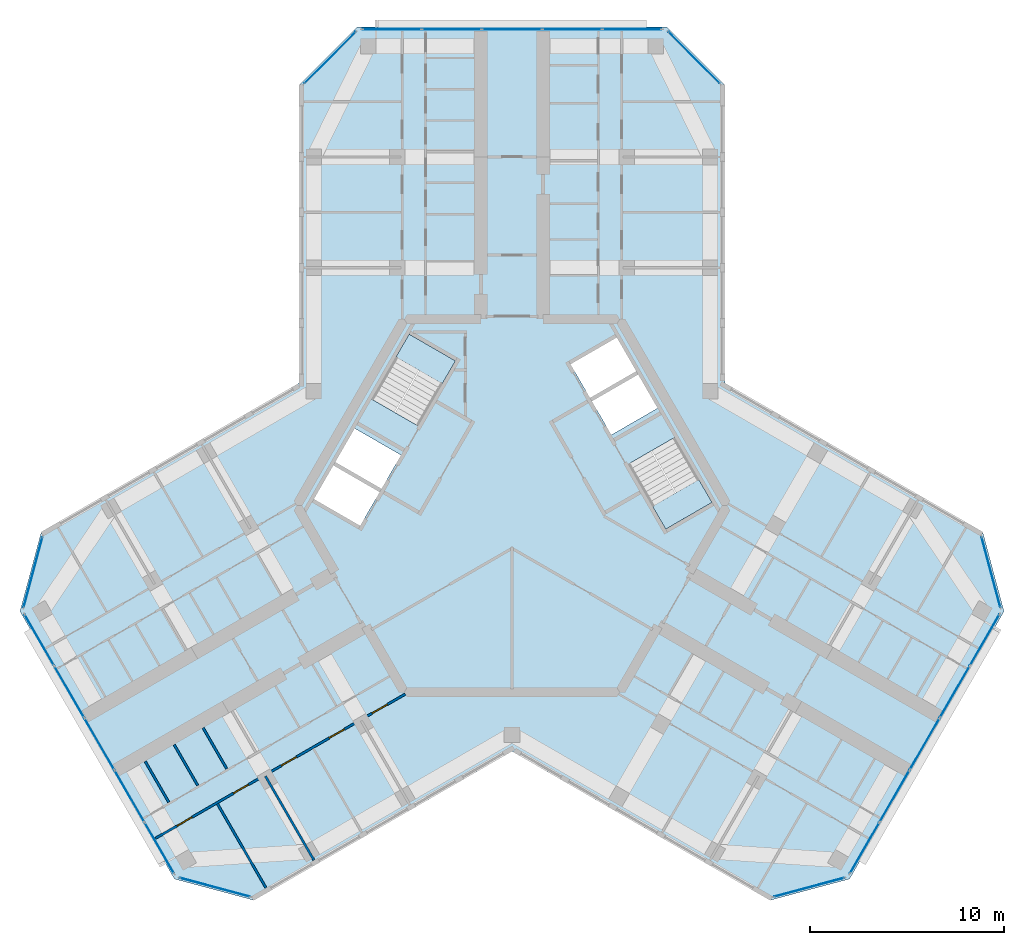
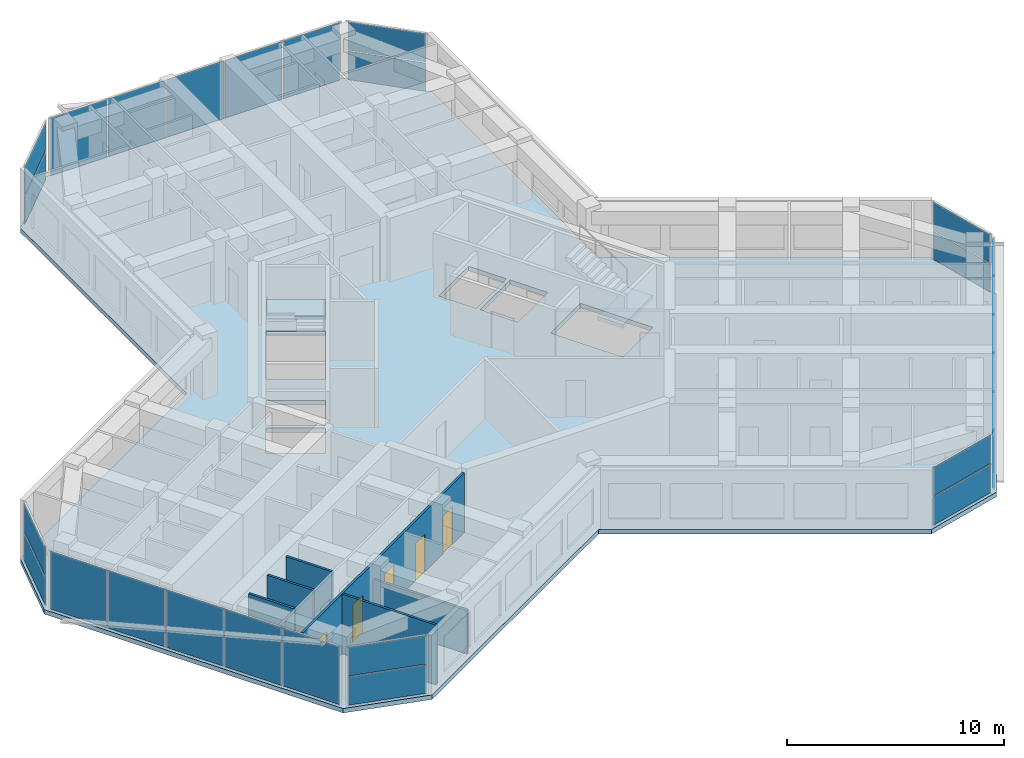
# One storey, part 6 of 14: 27 plates, 6 walls, 5 doors, 3 slabs, 5 openings, 11 elements without a shape of their own.
"""IFC4 building model written with IfcOpenShell, lengths in metres."""

import ifcopenshell
import ifcopenshell.guid

model = None  # the IFC model being written
_history = None  # IfcOwnerHistory: only IFC2X3 demands one
_inside = {}  # id of a spatial element -> (the spatial element, [elements in it])
_under = {}  # id of a project, library or spatial element -> (it, [spatial elements below it])
_declared = {}  # id of a project -> (the project, [libraries it declares])
_typed = {}  # id of a type object -> (the type object, [elements of that type])
_made_of = {}  # id of a material, layer set ... -> (it, [elements and type objects made of it])


def new_model(schema):
    """Start an empty IFC model of exactly this schema.

    Asked for "IFC4X3", IfcOpenShell would pick the latest addendum, in which some entities
    have other attributes; the version numbers below select the first issue.
    IFC2X3 requires an IfcOwnerHistory on every rooted entity: one is made here for all.
    """
    global model, _history
    if schema == "IFC4X3":
        model = ifcopenshell.file(schema_version=(4, 3, 0, 0))
    else:
        model = ifcopenshell.file(schema=schema)
    _inside.clear()
    _under.clear()
    _declared.clear()
    _typed.clear()
    _made_of.clear()
    _history = None
    if model.schema == "IFC2X3":
        org = make("IfcOrganization", Name="unknown")
        user = make(
            "IfcPersonAndOrganization",
            ThePerson=make("IfcPerson", FamilyName="unknown"),
            TheOrganization=org,
        )
        app = make(
            "IfcApplication",
            ApplicationDeveloper=org,
            Version="unknown",
            ApplicationFullName="unknown",
            ApplicationIdentifier="unknown",
        )
        _history = make(
            "IfcOwnerHistory",
            OwningUser=user,
            OwningApplication=app,
            ChangeAction="ADDED",
            CreationDate=0,
        )
    return model


def make(cls, **values):
    """One entity of the class cls with the attributes given. An attribute that is None is left unset."""
    return model.create_entity(
        cls, **{name: value for name, value in values.items() if value is not None}
    )


def rooted(cls, **values):
    """An entity with a GlobalId (a new one), such as an element, a storey or a relation."""
    return make(cls, GlobalId=ifcopenshell.guid.new(), OwnerHistory=_history, **values)


def si_unit(unit_type, name, prefix=None):
    """IfcSIUnit, for example si_unit("LENGTHUNIT", "METRE", prefix="MILLI")."""
    return make("IfcSIUnit", UnitType=unit_type, Prefix=prefix, Name=name)


def assignment(units):
    """IfcUnitAssignment: the units of a project."""
    return None if units is None else make("IfcUnitAssignment", Units=units)


def point(xyz):
    """IfcCartesianPoint."""
    return None if xyz is None else make("IfcCartesianPoint", Coordinates=xyz)


def direction(xyz):
    """IfcDirection."""
    return None if xyz is None else make("IfcDirection", DirectionRatios=xyz)


def frame(location, z_axis=None, x_axis=None):
    """IfcAxis2Placement3D, a coordinate frame: its origin and axes. An axis left out is left unset."""
    return make(
        "IfcAxis2Placement3D",
        Location=point(location),
        Axis=direction(z_axis),
        RefDirection=direction(x_axis),
    )


def frame_2d(location, x_axis=None):
    """IfcAxis2Placement2D, a coordinate frame in the plane: its origin and x axis."""
    return make(
        "IfcAxis2Placement2D", Location=point(location), RefDirection=direction(x_axis)
    )


def origin():
    """The frame at (0, 0, 0) with its axes left unset."""
    return frame((0.0, 0.0, 0.0))


def origin_2d():
    """The frame at (0, 0) in the plane with its x axis left unset."""
    return frame_2d((0.0, 0.0))


def place(relative_to, where):
    """IfcLocalPlacement: puts the frame where relative to a parent placement (None: the world)."""
    return make(
        "IfcLocalPlacement", PlacementRelTo=relative_to, RelativePlacement=where
    )


def context(
    kind, dimensions, precision=None, world=None, true_north=None, identifier=None
):
    """IfcGeometricRepresentationContext, for example the 3D "Model" context."""
    return make(
        "IfcGeometricRepresentationContext",
        ContextIdentifier=identifier,
        ContextType=kind,
        CoordinateSpaceDimension=dimensions,
        Precision=precision,
        WorldCoordinateSystem=world,
        TrueNorth=true_north,
    )


def subcontext(parent, identifier, kind, view, scale=None):
    """IfcGeometricRepresentationSubContext, for example "Body" below "Model"."""
    return make(
        "IfcGeometricRepresentationSubContext",
        ContextIdentifier=identifier,
        ContextType=kind,
        ParentContext=parent,
        TargetScale=scale,
        TargetView=view,
    )


def project(units=None, contexts=None):
    """IfcProject with its units and contexts."""
    return rooted(
        "IfcProject",
        Name="project",
        RepresentationContexts=contexts,
        UnitsInContext=assignment(units),
    )


def spatial(cls, under=None, at=None, **own):
    """A site, building, storey or space (cls), placed at a placement, below another one or the project."""
    s = rooted(cls, ObjectPlacement=at, **own)
    if under is not None:
        _under.setdefault(under.id(), (under, []))[1].append(s)
    return s


def polyline(points):
    """IfcPolyline through the points."""
    return make("IfcPolyline", Points=[point(p) for p in points])


def profile(cls, at=None, kind="AREA", **sizes):
    """A parametric profile (cls). Its sizes go by their IFC names, for example OverallWidth=200.0."""
    return make(cls, ProfileType=kind, Position=at, **sizes)


def rectangle(**sizes):
    """IfcRectangleProfileDef."""
    return profile("IfcRectangleProfileDef", **sizes)


def outline(outer, holes=None, kind="AREA"):
    """IfcArbitraryClosedProfileDef: a profile drawn as a closed curve; with holes, ...WithVoids."""
    if holes is None:
        return make("IfcArbitraryClosedProfileDef", ProfileType=kind, OuterCurve=outer)
    return make(
        "IfcArbitraryProfileDefWithVoids",
        ProfileType=kind,
        OuterCurve=outer,
        InnerCurves=holes,
    )


def extrude(swept, where, along, depth):
    """IfcExtrudedAreaSolid: the profile swept, set in the frame where, extruded along a direction by depth."""
    return make(
        "IfcExtrudedAreaSolid",
        SweptArea=swept,
        Position=where,
        ExtrudedDirection=direction(along),
        Depth=depth,
    )


def shape(context_of_items, identifier, shape_type, items):
    """IfcShapeRepresentation: the items that make up one representation, for example the "Body"."""
    return make(
        "IfcShapeRepresentation",
        ContextOfItems=context_of_items,
        RepresentationIdentifier=identifier,
        RepresentationType=shape_type,
        Items=items,
    )


def material(Name=None, Category=None):
    """IfcMaterial."""
    return make("IfcMaterial", Name=Name, Category=Category)


def layer(
    of_material, thickness, ventilated=None, Name=None, Category=None, Priority=None
):
    """IfcMaterialLayer: one layer of a wall or slab, of a material (None: an air gap)."""
    return make(
        "IfcMaterialLayer",
        Material=of_material,
        LayerThickness=thickness,
        IsVentilated=ventilated,
        Name=Name,
        Category=Category,
        Priority=Priority,
    )


def layer_set(layers, Name=None):
    """IfcMaterialLayerSet."""
    return make("IfcMaterialLayerSet", MaterialLayers=layers, LayerSetName=Name)


def made_of(thing, what):
    """Note that an element or type object is made of a material, layer set ...; save() writes the relation."""
    if what is not None:
        _made_of.setdefault(what.id(), (what, []))[1].append(thing)
    return thing


def type_object(cls, material=None, **own):
    """A type object (cls), such as IfcWallType, which elements share."""
    return made_of(rooted(cls, **own), material)


def element(
    cls,
    number,
    at=None,
    inside=None,
    cuts=None,
    type_object=None,
    material=None,
    context=None,
    identifier="Body",
    shape_type=None,
    held_by="IfcProductDefinitionShape",
    body=None,
    shapes=None,
    **own,
):
    """One element of the class cls, such as IfcWall. Its Tag is "e" and its number.

    at: its placement. inside: the storey or other place that contains it. cuts: it is an
    opening in that element (IfcRelVoidsElement). A single representation is given by context,
    identifier, shape_type and body (its items); several are given by shapes. held_by: the class
    of the entity that holds the representations. save() writes the other relations.
    """
    e = rooted(cls, Tag="e%d" % number, ObjectPlacement=at, **own)
    if body is not None:
        shapes = [shape(context, identifier, shape_type, body)]
    if shapes is not None:
        e.Representation = make(held_by, Representations=shapes)
    if inside is not None:
        _inside.setdefault(inside.id(), (inside, []))[1].append(e)
    if cuts is not None:
        rooted(
            "IfcRelVoidsElement", RelatingBuildingElement=cuts, RelatedOpeningElement=e
        )
    if type_object is not None:
        _typed.setdefault(type_object.id(), (type_object, []))[1].append(e)
    return made_of(e, material)


def fill(opening, filler):
    """IfcRelFillsElement: the door or window that sits in an opening."""
    return rooted(
        "IfcRelFillsElement",
        RelatingOpeningElement=opening,
        RelatedBuildingElement=filler,
    )


def aggregate(whole, parts):
    """IfcRelAggregates: a whole, such as a stair, and the parts it consists of."""
    return rooted("IfcRelAggregates", RelatingObject=whole, RelatedObjects=parts)


def save(model, path):
    """Write the relations noted so far, then the file.

    IfcRelAggregates (storeys below a building ...), IfcRelContainedInSpatialStructure (elements
    in a storey), IfcRelDefinesByType, IfcRelAssociatesMaterial and IfcRelDeclares: one each for
    every whole, place, type object, material and project.
    """
    for whole, parts in _under.values():
        aggregate(whole, parts)
    for where, things in _inside.values():
        rooted(
            "IfcRelContainedInSpatialStructure",
            RelatedElements=things,
            RelatingStructure=where,
        )
    for kind, things in _typed.values():
        rooted("IfcRelDefinesByType", RelatedObjects=things, RelatingType=kind)
    for what, things in _made_of.values():
        rooted("IfcRelAssociatesMaterial", RelatedObjects=things, RelatingMaterial=what)
    for by, libraries in _declared.values():
        rooted("IfcRelDeclares", RelatingContext=by, RelatedDefinitions=libraries)
    model.write(path)


model = new_model("IFC4")

# Units and contexts
model_context = context("Model", 3, precision=1e-05, world=origin(), true_north=direction((0.0, 1.0)))
body_context = subcontext(model_context, "Body", "Model", "MODEL_VIEW")
ifc_project = project(units=[si_unit("LENGTHUNIT", "METRE"), si_unit("AREAUNIT", "SQUARE_METRE"), si_unit("VOLUMEUNIT", "CUBIC_METRE"), si_unit("PLANEANGLEUNIT", "RADIAN"), si_unit("MASSUNIT", "GRAM", prefix="KILO")], contexts=[model_context])

# Site, building, storey
site_placement = place(None, origin())
site = spatial("IfcSite", under=ifc_project, at=site_placement, CompositionType="ELEMENT")
building_placement = place(site_placement, origin())
building = spatial("IfcBuilding", under=site, at=building_placement, Name="Kosmar Iwan School Tower", CompositionType="ELEMENT")
storey_placement = place(building_placement, frame((0.0, 0.0, 292.60009765625)))
storey = spatial("IfcBuildingStorey", under=building, at=storey_placement, Name="L74", CompositionType="ELEMENT", Elevation=292.60009765625)

# Curtain wall, plates
ifc_material_1 = material(Name="Dark glass in black aluminium frame", Category="aluminium")
curtain_wall_type_1 = type_object("IfcCurtainWallType", Name="Chamfer curtain wall dark glass", PredefinedType="USERDEFINED", material=ifc_material_1)
curtain_wall_1_placement = place(storey_placement, origin())
curtain_wall_1 = element("IfcCurtainWall", 1, at=curtain_wall_1_placement, inside=storey, type_object=curtain_wall_type_1, Name="Curtain wall L74-F02", ObjectType="FACETED CURTAIN WALL", PredefinedType="USERDEFINED")
ifc_material_2 = material(Name="Dark glass", Category="glass")
ifc_layer_1 = layer(ifc_material_2, 0.028076171875)
ifc_layer_set_1 = layer_set([ifc_layer_1], Name="Dark glass panel 28")
plate_type = type_object("IfcPlateType", Name="Dark glass panel 28", PredefinedType="CURTAIN_PANEL", material=ifc_layer_set_1)
plate_1_placement = place(storey_placement, frame((15.291015625, -19.63818359375, 0.059814453125), z_axis=(0.0, 0.0, 1.0), x_axis=(0.965925875495, 0.258818861462, 0.0)))
plate_1 = element("IfcPlate", 2, at=plate_1_placement, type_object=plate_type, Name="CW2 panel 1.1", PredefinedType="CURTAIN_PANEL", context=body_context, shape_type="SweptSolid", body=[
    extrude(rectangle(XDim=3.718994140625, YDim=0.028076171875, at=origin_2d()), origin(), (0.0, 0.0, 1.0), 1.5849609375),
])
plate_2_placement = place(storey_placement, frame((15.291015625, -19.63818359375, 1.704833984375), z_axis=(0.0, 0.0, 1.0), x_axis=(0.965925875495, 0.258818861462, 0.0)))
plate_2 = element("IfcPlate", 3, at=plate_2_placement, type_object=plate_type, Name="CW2 panel 1.2", PredefinedType="CURTAIN_PANEL", context=body_context, shape_type="SweptSolid", body=[
    extrude(rectangle(XDim=3.718994140625, YDim=0.028076171875, at=origin_2d()), origin(), (0.0, 0.0, 1.0), 1.5849609375),
])
aggregate(curtain_wall_1, [plate_1, plate_2])

ifc_material_3 = material(Name="Dark glass in black aluminium frame", Category="aluminium")
curtain_wall_type_2 = type_object("IfcCurtainWallType", Name="Tower curtain wall dark glass", PredefinedType="USERDEFINED", material=ifc_material_3)
curtain_wall_2_placement = place(storey_placement, origin())
curtain_wall_2 = element("IfcCurtainWall", 4, at=curtain_wall_2_placement, inside=storey, type_object=curtain_wall_type_2, Name="Curtain wall L74-F03", ObjectType="UNITISED CURTAIN WALL", PredefinedType="USERDEFINED")
plate_3_placement = place(storey_placement, frame((18.1474609375, -17.61767578125, 0.059814453125), z_axis=(0.0, 0.0, 1.0), x_axis=(0.499999997325, 0.866025405329, 0.0)))
plate_3 = element("IfcPlate", 5, at=plate_3_placement, type_object=plate_type, Name="CW1 panel 1.1", PredefinedType="CURTAIN_PANEL", context=body_context, shape_type="SweptSolid", body=[
    extrude(rectangle(XDim=3.00927734375, YDim=0.028076171875, at=origin_2d()), origin(), (0.0, 0.0, 1.0), 3.22998046875),
])
plate_4_placement = place(storey_placement, frame((19.689697265625, -14.946533203125, 0.059814453125), z_axis=(0.0, 0.0, 1.0), x_axis=(0.499999997325, 0.866025405329, 0.0)))
plate_4 = element("IfcPlate", 6, at=plate_4_placement, type_object=plate_type, Name="CW1 panel 2.1", PredefinedType="CURTAIN_PANEL", context=body_context, shape_type="SweptSolid", body=[
    extrude(rectangle(XDim=3.039306640625, YDim=0.028076171875, at=origin_2d()), origin(), (0.0, 0.0, 1.0), 3.22998046875),
])
plate_5_placement = place(storey_placement, frame((21.2392578125, -12.262451171875, 0.059814453125), z_axis=(0.0, 0.0, 1.0), x_axis=(0.499999997325, 0.866025405329, 0.0)))
plate_5 = element("IfcPlate", 7, at=plate_5_placement, type_object=plate_type, Name="CW1 panel 3.1", PredefinedType="CURTAIN_PANEL", context=body_context, shape_type="SweptSolid", body=[
    extrude(rectangle(XDim=3.039306640625, YDim=0.028076171875, at=origin_2d()), origin(), (0.0, 0.0, 1.0), 3.22998046875),
])
plate_6_placement = place(storey_placement, frame((22.788818359375, -9.578369140625, 0.059814453125), z_axis=(0.0, 0.0, 1.0), x_axis=(0.499999997325, 0.866025405329, 0.0)))
plate_6 = element("IfcPlate", 8, at=plate_6_placement, type_object=plate_type, Name="CW1 panel 4.1", PredefinedType="CURTAIN_PANEL", context=body_context, shape_type="SweptSolid", body=[
    extrude(rectangle(XDim=3.039306640625, YDim=0.028076171875, at=origin_2d()), origin(), (0.0, 0.0, 1.0), 3.22998046875),
])
plate_7_placement = place(storey_placement, frame((24.3310546875, -6.907470703125, 0.059814453125), z_axis=(0.0, 0.0, 1.0), x_axis=(0.499999997325, 0.866025405329, 0.0)))
plate_7 = element("IfcPlate", 9, at=plate_7_placement, type_object=plate_type, Name="CW1 panel 5.1", PredefinedType="CURTAIN_PANEL", context=body_context, shape_type="SweptSolid", body=[
    extrude(rectangle(XDim=3.00927734375, YDim=0.028076171875, at=origin_2d()), origin(), (0.0, 0.0, 1.0), 3.22998046875),
])
aggregate(curtain_wall_2, [plate_3, plate_4, plate_5, plate_6, plate_7])

curtain_wall_3_placement = place(storey_placement, origin())
curtain_wall_3 = element("IfcCurtainWall", 10, at=curtain_wall_3_placement, inside=storey, type_object=curtain_wall_type_1, Name="Curtain wall L74-F04", ObjectType="FACETED CURTAIN WALL", PredefinedType="USERDEFINED")
plate_8_placement = place(storey_placement, frame((24.65283203125, -3.42333984375, 0.059814453125), z_axis=(0.0, 0.0, 1.0), x_axis=(-0.258818861462, 0.965925875495, 0.0)))
plate_8 = element("IfcPlate", 11, at=plate_8_placement, type_object=plate_type, Name="CW2 panel 1.1", PredefinedType="CURTAIN_PANEL", context=body_context, shape_type="SweptSolid", body=[
    extrude(rectangle(XDim=3.718994140625, YDim=0.028076171875, at=origin_2d()), origin(), (0.0, 0.0, 1.0), 1.5849609375),
])
plate_9_placement = place(storey_placement, frame((24.65283203125, -3.42333984375, 1.704833984375), z_axis=(0.0, 0.0, 1.0), x_axis=(-0.258818861462, 0.965925875495, 0.0)))
plate_9 = element("IfcPlate", 12, at=plate_9_placement, type_object=plate_type, Name="CW2 panel 1.2", PredefinedType="CURTAIN_PANEL", context=body_context, shape_type="SweptSolid", body=[
    extrude(rectangle(XDim=3.718994140625, YDim=0.028076171875, at=origin_2d()), origin(), (0.0, 0.0, 1.0), 1.5849609375),
])
aggregate(curtain_wall_3, [plate_8, plate_9])

curtain_wall_4_placement = place(storey_placement, origin())
curtain_wall_4 = element("IfcCurtainWall", 13, at=curtain_wall_4_placement, inside=storey, type_object=curtain_wall_type_1, Name="Curtain wall L74-F07", ObjectType="FACETED CURTAIN WALL", PredefinedType="USERDEFINED")
plate_10_placement = place(storey_placement, frame((9.361572265625, 23.0615234375, 0.059814453125), z_axis=(0.0, 0.0, 1.0), x_axis=(-0.707106781187, 0.707106781187, 0.0)))
plate_10 = element("IfcPlate", 14, at=plate_10_placement, type_object=plate_type, Name="CW2 panel 1.1", PredefinedType="CURTAIN_PANEL", context=body_context, shape_type="SweptSolid", body=[
    extrude(rectangle(XDim=3.718994140625, YDim=0.028076171875, at=origin_2d()), origin(), (0.0, 0.0, 1.0), 1.5849609375),
])
plate_11_placement = place(storey_placement, frame((9.361572265625, 23.0615234375, 1.704833984375), z_axis=(0.0, 0.0, 1.0), x_axis=(-0.707106781187, 0.707106781187, 0.0)))
plate_11 = element("IfcPlate", 15, at=plate_11_placement, type_object=plate_type, Name="CW2 panel 1.2", PredefinedType="CURTAIN_PANEL", context=body_context, shape_type="SweptSolid", body=[
    extrude(rectangle(XDim=3.718994140625, YDim=0.028076171875, at=origin_2d()), origin(), (0.0, 0.0, 1.0), 1.5849609375),
])
aggregate(curtain_wall_4, [plate_10, plate_11])

curtain_wall_5_placement = place(storey_placement, origin())
curtain_wall_5 = element("IfcCurtainWall", 16, at=curtain_wall_5_placement, inside=storey, type_object=curtain_wall_type_2, Name="Curtain wall L74-F08", ObjectType="UNITISED CURTAIN WALL", PredefinedType="USERDEFINED")
plate_12_placement = place(storey_placement, frame((6.18359375, 24.52490234375, 0.059814453125), z_axis=(0.0, 0.0, 1.0), x_axis=(-1.0, 0.0, 0.0)))
plate_12 = element("IfcPlate", 17, at=plate_12_placement, type_object=plate_type, Name="CW1 panel 1.1", PredefinedType="CURTAIN_PANEL", context=body_context, shape_type="SweptSolid", body=[
    extrude(rectangle(XDim=3.00927734375, YDim=0.028076171875, at=origin_2d()), origin(), (0.0, 0.0, 1.0), 3.22998046875),
])
plate_13_placement = place(storey_placement, frame((3.099365234375, 24.52490234375, 0.059814453125), z_axis=(0.0, 0.0, 1.0), x_axis=(-1.0, 0.0, 0.0)))
plate_13 = element("IfcPlate", 18, at=plate_13_placement, type_object=plate_type, Name="CW1 panel 2.1", PredefinedType="CURTAIN_PANEL", context=body_context, shape_type="SweptSolid", body=[
    extrude(rectangle(XDim=3.039306640625, YDim=0.028076171875, at=origin_2d()), origin(), (0.0, 0.0, 1.0), 3.22998046875),
])
plate_14_placement = place(storey_placement, frame((0.0, 24.52490234375, 0.059814453125), z_axis=(0.0, 0.0, 1.0), x_axis=(-1.0, 0.0, 0.0)))
plate_14 = element("IfcPlate", 19, at=plate_14_placement, type_object=plate_type, Name="CW1 panel 3.1", PredefinedType="CURTAIN_PANEL", context=body_context, shape_type="SweptSolid", body=[
    extrude(rectangle(XDim=3.039306640625, YDim=0.028076171875, at=origin_2d()), origin(), (0.0, 0.0, 1.0), 3.22998046875),
])
plate_15_placement = place(storey_placement, frame((-3.099365234375, 24.52490234375, 0.059814453125), z_axis=(0.0, 0.0, 1.0), x_axis=(-1.0, 0.0, 0.0)))
plate_15 = element("IfcPlate", 20, at=plate_15_placement, type_object=plate_type, Name="CW1 panel 4.1", PredefinedType="CURTAIN_PANEL", context=body_context, shape_type="SweptSolid", body=[
    extrude(rectangle(XDim=3.039306640625, YDim=0.028076171875, at=origin_2d()), origin(), (0.0, 0.0, 1.0), 3.22998046875),
])
plate_16_placement = place(storey_placement, frame((-6.18359375, 24.52490234375, 0.059814453125), z_axis=(0.0, 0.0, 1.0), x_axis=(-1.0, 0.0, 0.0)))
plate_16 = element("IfcPlate", 21, at=plate_16_placement, type_object=plate_type, Name="CW1 panel 5.1", PredefinedType="CURTAIN_PANEL", context=body_context, shape_type="SweptSolid", body=[
    extrude(rectangle(XDim=3.00927734375, YDim=0.028076171875, at=origin_2d()), origin(), (0.0, 0.0, 1.0), 3.22998046875),
])
aggregate(curtain_wall_5, [plate_12, plate_13, plate_14, plate_15, plate_16])

curtain_wall_6_placement = place(storey_placement, origin())
curtain_wall_6 = element("IfcCurtainWall", 22, at=curtain_wall_6_placement, inside=storey, type_object=curtain_wall_type_1, Name="Curtain wall L74-F09", ObjectType="FACETED CURTAIN WALL", PredefinedType="USERDEFINED")
plate_17_placement = place(storey_placement, frame((-9.361572265625, 23.0615234375, 0.059814453125), z_axis=(0.0, 0.0, 1.0), x_axis=(-0.707106781187, -0.707106781187, 0.0)))
plate_17 = element("IfcPlate", 23, at=plate_17_placement, type_object=plate_type, Name="CW2 panel 1.1", PredefinedType="CURTAIN_PANEL", context=body_context, shape_type="SweptSolid", body=[
    extrude(rectangle(XDim=3.718994140625, YDim=0.028076171875, at=origin_2d()), origin(), (0.0, 0.0, 1.0), 1.5849609375),
])
plate_18_placement = place(storey_placement, frame((-9.361572265625, 23.0615234375, 1.704833984375), z_axis=(0.0, 0.0, 1.0), x_axis=(-0.707106781187, -0.707106781187, 0.0)))
plate_18 = element("IfcPlate", 24, at=plate_18_placement, type_object=plate_type, Name="CW2 panel 1.2", PredefinedType="CURTAIN_PANEL", context=body_context, shape_type="SweptSolid", body=[
    extrude(rectangle(XDim=3.718994140625, YDim=0.028076171875, at=origin_2d()), origin(), (0.0, 0.0, 1.0), 1.5849609375),
])
aggregate(curtain_wall_6, [plate_17, plate_18])

curtain_wall_7_placement = place(storey_placement, origin())
curtain_wall_7 = element("IfcCurtainWall", 25, at=curtain_wall_7_placement, inside=storey, type_object=curtain_wall_type_1, Name="Curtain wall L74-F12", ObjectType="FACETED CURTAIN WALL", PredefinedType="USERDEFINED")
plate_19_placement = place(storey_placement, frame((-24.65283203125, -3.42333984375, 0.059814453125), z_axis=(0.0, 0.0, 1.0), x_axis=(-0.258818861462, -0.965925875495, 0.0)))
plate_19 = element("IfcPlate", 26, at=plate_19_placement, type_object=plate_type, Name="CW2 panel 1.1", PredefinedType="CURTAIN_PANEL", context=body_context, shape_type="SweptSolid", body=[
    extrude(rectangle(XDim=3.718994140625, YDim=0.028076171875, at=origin_2d()), origin(), (0.0, 0.0, 1.0), 1.5849609375),
])
plate_20_placement = place(storey_placement, frame((-24.65283203125, -3.42333984375, 1.704833984375), z_axis=(0.0, 0.0, 1.0), x_axis=(-0.258818861462, -0.965925875495, 0.0)))
plate_20 = element("IfcPlate", 27, at=plate_20_placement, type_object=plate_type, Name="CW2 panel 1.2", PredefinedType="CURTAIN_PANEL", context=body_context, shape_type="SweptSolid", body=[
    extrude(rectangle(XDim=3.718994140625, YDim=0.028076171875, at=origin_2d()), origin(), (0.0, 0.0, 1.0), 1.5849609375),
])
aggregate(curtain_wall_7, [plate_19, plate_20])

curtain_wall_8_placement = place(storey_placement, origin())
curtain_wall_8 = element("IfcCurtainWall", 28, at=curtain_wall_8_placement, inside=storey, type_object=curtain_wall_type_2, Name="Curtain wall L74-F13", ObjectType="UNITISED CURTAIN WALL", PredefinedType="USERDEFINED")
plate_21_placement = place(storey_placement, frame((-24.3310546875, -6.907470703125, 0.059814453125), z_axis=(0.0, 0.0, 1.0), x_axis=(0.499999997325, -0.866025405329, 0.0)))
plate_21 = element("IfcPlate", 29, at=plate_21_placement, type_object=plate_type, Name="CW1 panel 1.1", PredefinedType="CURTAIN_PANEL", context=body_context, shape_type="SweptSolid", body=[
    extrude(rectangle(XDim=3.00927734375, YDim=0.028076171875, at=origin_2d()), origin(), (0.0, 0.0, 1.0), 3.22998046875),
])
plate_22_placement = place(storey_placement, frame((-22.788818359375, -9.578369140625, 0.059814453125), z_axis=(0.0, 0.0, 1.0), x_axis=(0.499999997325, -0.866025405329, 0.0)))
plate_22 = element("IfcPlate", 30, at=plate_22_placement, type_object=plate_type, Name="CW1 panel 2.1", PredefinedType="CURTAIN_PANEL", context=body_context, shape_type="SweptSolid", body=[
    extrude(rectangle(XDim=3.039306640625, YDim=0.028076171875, at=origin_2d()), origin(), (0.0, 0.0, 1.0), 3.22998046875),
])
plate_23_placement = place(storey_placement, frame((-21.2392578125, -12.262451171875, 0.059814453125), z_axis=(0.0, 0.0, 1.0), x_axis=(0.499999997325, -0.866025405329, 0.0)))
plate_23 = element("IfcPlate", 31, at=plate_23_placement, type_object=plate_type, Name="CW1 panel 3.1", PredefinedType="CURTAIN_PANEL", context=body_context, shape_type="SweptSolid", body=[
    extrude(rectangle(XDim=3.039306640625, YDim=0.028076171875, at=origin_2d()), origin(), (0.0, 0.0, 1.0), 3.22998046875),
])
plate_24_placement = place(storey_placement, frame((-19.689697265625, -14.946533203125, 0.059814453125), z_axis=(0.0, 0.0, 1.0), x_axis=(0.499999997325, -0.866025405329, 0.0)))
plate_24 = element("IfcPlate", 32, at=plate_24_placement, type_object=plate_type, Name="CW1 panel 4.1", PredefinedType="CURTAIN_PANEL", context=body_context, shape_type="SweptSolid", body=[
    extrude(rectangle(XDim=3.039306640625, YDim=0.028076171875, at=origin_2d()), origin(), (0.0, 0.0, 1.0), 3.22998046875),
])
plate_25_placement = place(storey_placement, frame((-18.1474609375, -17.61767578125, 0.059814453125), z_axis=(0.0, 0.0, 1.0), x_axis=(0.499999997325, -0.866025405329, 0.0)))
plate_25 = element("IfcPlate", 33, at=plate_25_placement, type_object=plate_type, Name="CW1 panel 5.1", PredefinedType="CURTAIN_PANEL", context=body_context, shape_type="SweptSolid", body=[
    extrude(rectangle(XDim=3.00927734375, YDim=0.028076171875, at=origin_2d()), origin(), (0.0, 0.0, 1.0), 3.22998046875),
])
aggregate(curtain_wall_8, [plate_21, plate_22, plate_23, plate_24, plate_25])

curtain_wall_9_placement = place(storey_placement, origin())
curtain_wall_9 = element("IfcCurtainWall", 34, at=curtain_wall_9_placement, inside=storey, type_object=curtain_wall_type_1, Name="Curtain wall L74-F14", ObjectType="FACETED CURTAIN WALL", PredefinedType="USERDEFINED")
plate_26_placement = place(storey_placement, frame((-15.291015625, -19.63818359375, 0.059814453125), z_axis=(0.0, 0.0, 1.0), x_axis=(0.965925875495, -0.258818861462, 0.0)))
plate_26 = element("IfcPlate", 35, at=plate_26_placement, type_object=plate_type, Name="CW2 panel 1.1", PredefinedType="CURTAIN_PANEL", context=body_context, shape_type="SweptSolid", body=[
    extrude(rectangle(XDim=3.718994140625, YDim=0.028076171875, at=origin_2d()), origin(), (0.0, 0.0, 1.0), 1.5849609375),
])
plate_27_placement = place(storey_placement, frame((-15.291015625, -19.63818359375, 1.704833984375), z_axis=(0.0, 0.0, 1.0), x_axis=(0.965925875495, -0.258818861462, 0.0)))
plate_27 = element("IfcPlate", 36, at=plate_27_placement, type_object=plate_type, Name="CW2 panel 1.2", PredefinedType="CURTAIN_PANEL", context=body_context, shape_type="SweptSolid", body=[
    extrude(rectangle(XDim=3.718994140625, YDim=0.028076171875, at=origin_2d()), origin(), (0.0, 0.0, 1.0), 1.5849609375),
])
aggregate(curtain_wall_9, [plate_26, plate_27])

# Slab
ifc_material_4 = material(Name="Concrete C35/45", Category="concrete")
ifc_layer_2 = layer(ifc_material_4, 0.25)
ifc_layer_set_2 = layer_set([ifc_layer_2], Name="Floor slab 250")
slab_type_1 = type_object("IfcSlabType", Name="Floor slab 250", PredefinedType="FLOOR", material=ifc_layer_set_2)
slab_1_placement = place(storey_placement, frame((0.0, 0.0, -0.25)))
element("IfcSlab", 37, at=slab_1_placement, inside=storey, type_object=slab_type_1, Name="L74 floor slab", PredefinedType="FLOOR", context=body_context, shape_type="SweptSolid", body=[
    extrude(outline(polyline([(-13.2744140625, -20.307861328125), (0.0, -12.64404296875), (13.2744140625, -20.307861328125), (17.37255859375, -19.2099609375), (25.322509765625, -5.440185546875), (24.224365234375, -1.342041015625), (10.949951171875, 6.322021484375), (10.949951171875, 21.64990234375), (7.949951171875, 24.64990234375), (-7.949951171875, 24.64990234375), (-10.949951171875, 21.64990234375), (-10.949951171875, 6.322021484375), (-24.224365234375, -1.342041015625), (-25.322509765625, -5.440185546875), (-17.37255859375, -19.2099609375), (-13.2744140625, -20.307861328125)]), holes=[polyline([(7.91259765625, -1.205078125), (10.294189453125, 0.169921875), (8.3642578125, 3.5126953125), (5.982666015625, 2.1376953125), (7.91259765625, -1.205078125)]), polyline([(-2.91259765625, 7.455078125), (-5.294189453125, 8.830078125), (-7.22412109375, 5.4873046875), (-4.8427734375, 4.1123046875), (-2.91259765625, 7.455078125)]), polyline([(-5.712646484375, 2.60546875), (-8.09423828125, 3.98046875), (-9.09423828125, 2.248291015625), (-6.712646484375, 0.873291015625), (-5.712646484375, 2.60546875)]), polyline([(-6.812744140625, 0.7001953125), (-9.1943359375, 2.0751953125), (-10.1943359375, 0.343017578125), (-7.812744140625, -1.031982421875), (-6.812744140625, 0.7001953125)]), polyline([(5.112548828125, 3.64453125), (7.494140625, 5.01953125), (6.494140625, 6.751708984375), (4.112548828125, 5.376708984375), (5.112548828125, 3.64453125)]), polyline([(4.0126953125, 5.5498046875), (6.394287109375, 6.9248046875), (5.394287109375, 8.656982421875), (3.0126953125, 7.281982421875), (4.0126953125, 5.5498046875)])]), origin(), (0.0, 0.0, 1.0), 0.25),
])

# Stair, slab
ifc_material_5 = material(Name="Concrete C35/45", Category="concrete")
stair_type = type_object("IfcStairType", Name="Core stair 2750", PredefinedType="HALF_TURN_STAIR", material=ifc_material_5)
stair_1_placement = place(storey_placement, origin())
stair_1 = element("IfcStair", 38, at=stair_1_placement, inside=storey, type_object=stair_type, Name="Stair ST2 L74", PredefinedType="HALF_TURN_STAIR")
ifc_material_6 = material(Name="Concrete C35/45", Category="concrete")
ifc_layer_3 = layer(ifc_material_6, 0.199951171875)
ifc_layer_set_3 = layer_set([ifc_layer_3], Name="Stair landing 200")
slab_type_2 = type_object("IfcSlabType", Name="Stair landing 200", PredefinedType="LANDING", material=ifc_layer_set_3)
slab_2_placement = place(storey_placement, frame((0.0, 0.0, 1.599853515625)))
slab_2 = element("IfcSlab", 39, at=slab_2_placement, type_object=slab_type_2, Name="ST2 landing 1", PredefinedType="LANDING", context=body_context, shape_type="SweptSolid", body=[
    extrude(outline(polyline([(-2.91259765625, 7.455078125), (-5.294189453125, 8.830078125), (-5.97412109375, 7.65234375), (-3.5927734375, 6.27734375), (-2.91259765625, 7.455078125)])), origin(), (0.0, 0.0, 1.0), 0.199951171875),
])
aggregate(stair_1, [slab_2])

stair_2_placement = place(storey_placement, origin())
stair_2 = element("IfcStair", 40, at=stair_2_placement, inside=storey, type_object=stair_type, Name="Stair ST1 L74", PredefinedType="HALF_TURN_STAIR")
slab_3_placement = place(storey_placement, frame((0.0, 0.0, 1.599853515625)))
slab_3 = element("IfcSlab", 41, at=slab_3_placement, type_object=slab_type_2, Name="ST1 landing 1", PredefinedType="LANDING", context=body_context, shape_type="SweptSolid", body=[
    extrude(outline(polyline([(7.91259765625, -1.205078125), (10.294189453125, 0.169921875), (9.6142578125, 1.34765625), (7.232666015625, -0.02734375), (7.91259765625, -1.205078125)])), origin(), (0.0, 0.0, 1.0), 0.199951171875),
])
aggregate(stair_2, [slab_3])

# Wall, openings, doors
ifc_material_7 = material(Name="Gypsum board on steel studs", Category="steel")
ifc_layer_4 = layer(ifc_material_7, 0.1201171875)
ifc_layer_set_4 = layer_set([ifc_layer_4], Name="Dwelling partition 120")
wall_type = type_object("IfcWallType", Name="Dwelling partition 120", PredefinedType="PARTITIONING", material=ifc_layer_set_4)
wall_1_placement = place(storey_placement, frame((-5.48876953125, -9.693115234375, 0.0), z_axis=(0.0, 0.0, 1.0), x_axis=(-0.866030301974, -0.499991515992, 0.0)))
wall_1 = element("IfcWall", 42, at=wall_1_placement, inside=storey, type_object=wall_type, Name="Partition L74-BL1-W2", PredefinedType="PARTITIONING", context=body_context, shape_type="SweptSolid", body=[
    extrude(rectangle(XDim=14.844970703125, YDim=0.1201171875, at=frame_2d((7.42236328125, 0.0))), origin(), (0.0, 0.0, 1.0), 3.349853515625),
])
opening_1_placement = place(wall_1_placement, frame((1.074951171875, 0.0, 0.0)))
opening_1 = element("IfcOpeningElement", 43, at=opening_1_placement, cuts=wall_1, Name="Opening D2", PredefinedType="OPENING", context=body_context, shape_type="SweptSolid", body=[
    extrude(rectangle(XDim=0.89990234375, YDim=2.10009765625, at=frame_2d((0.449951171875, 1.050048828125))), frame((0.0, 0.072021484375, 0.0), z_axis=(0.0, -1.0, 0.0), x_axis=(1.0, 0.0, 0.0)), (0.0, 0.0, 1.0), 0.14404296875),
])
opening_2_placement = place(wall_1_placement, frame((3.625, 0.0, 0.0)))
opening_2 = element("IfcOpeningElement", 44, at=opening_2_placement, cuts=wall_1, Name="Opening D2", PredefinedType="OPENING", context=body_context, shape_type="SweptSolid", body=[
    extrude(rectangle(XDim=0.89990234375, YDim=2.10009765625, at=frame_2d((0.449951171875, 1.050048828125))), frame((0.0, 0.072021484375, 0.0), z_axis=(0.0, -1.0, 0.0), x_axis=(1.0, 0.0, 0.0)), (0.0, 0.0, 1.0), 0.14404296875),
])
opening_3_placement = place(wall_1_placement, frame((6.47509765625, 0.0, 0.0)))
opening_3 = element("IfcOpeningElement", 45, at=opening_3_placement, cuts=wall_1, Name="Opening D2", PredefinedType="OPENING", context=body_context, shape_type="SweptSolid", body=[
    extrude(rectangle(XDim=0.89990234375, YDim=2.10009765625, at=frame_2d((0.449951171875, 1.050048828125))), frame((0.0, 0.072021484375, 0.0), z_axis=(0.0, -1.0, 0.0), x_axis=(1.0, 0.0, 0.0)), (0.0, 0.0, 1.0), 0.14404296875),
])
opening_4_placement = place(wall_1_placement, frame((9.324951171875, 0.0, 0.0)))
opening_4 = element("IfcOpeningElement", 46, at=opening_4_placement, cuts=wall_1, Name="Opening D2", PredefinedType="OPENING", context=body_context, shape_type="SweptSolid", body=[
    extrude(rectangle(XDim=0.89990234375, YDim=2.10009765625, at=frame_2d((0.449951171875, 1.050048828125))), frame((0.0, 0.072021484375, 0.0), z_axis=(0.0, -1.0, 0.0), x_axis=(1.0, 0.0, 0.0)), (0.0, 0.0, 1.0), 0.14404296875),
])
opening_5_placement = place(wall_1_placement, frame((12.675048828125, 0.0, 0.0)))
opening_5 = element("IfcOpeningElement", 47, at=opening_5_placement, cuts=wall_1, Name="Opening D2", PredefinedType="OPENING", context=body_context, shape_type="SweptSolid", body=[
    extrude(rectangle(XDim=0.89990234375, YDim=2.10009765625, at=frame_2d((0.449951171875, 1.050048828125))), frame((0.0, 0.072021484375, 0.0), z_axis=(0.0, -1.0, 0.0), x_axis=(1.0, 0.0, 0.0)), (0.0, 0.0, 1.0), 0.14404296875),
])
ifc_material_8 = material(Name="Timber door in timber frame", Category="wood")
door_type = type_object("IfcDoorType", Name="Internal door 900x2100", OperationType="SINGLE_SWING_LEFT", PredefinedType="DOOR", material=ifc_material_8)
door_1_placement = place(opening_1_placement, origin())
door_1 = element("IfcDoor", 48, at=door_1_placement, inside=storey, type_object=door_type, Name="Living room and kitchen door L74-BL1-F1", OperationType="SINGLE_SWING_LEFT", OverallHeight=2.10009765625, OverallWidth=0.89990234375, PredefinedType="DOOR", context=body_context, shape_type="SweptSolid", body=[
    extrude(rectangle(XDim=0.89990234375, YDim=2.10009765625, at=frame_2d((0.449951171875, 1.050048828125))), frame((0.0, 0.02490234375, 0.0), z_axis=(0.0, -1.0, 0.0), x_axis=(1.0, 0.0, 0.0)), (0.0, 0.0, 1.0), 0.050048828125),
])
fill(opening_1, door_1)
door_2_placement = place(opening_2_placement, origin())
door_2 = element("IfcDoor", 49, at=door_2_placement, inside=storey, type_object=door_type, Name="Study door L74-BL1-F2", OperationType="SINGLE_SWING_RIGHT", OverallHeight=2.10009765625, OverallWidth=0.89990234375, PredefinedType="DOOR", context=body_context, shape_type="SweptSolid", body=[
    extrude(rectangle(XDim=0.89990234375, YDim=2.10009765625, at=frame_2d((0.449951171875, 1.050048828125))), frame((0.0, 0.02490234375, 0.0), z_axis=(0.0, -1.0, 0.0), x_axis=(1.0, 0.0, 0.0)), (0.0, 0.0, 1.0), 0.050048828125),
])
fill(opening_2, door_2)
door_3_placement = place(opening_3_placement, origin())
door_3 = element("IfcDoor", 50, at=door_3_placement, inside=storey, type_object=door_type, Name="Bedroom 2 door L74-BL1-F3", OperationType="SINGLE_SWING_LEFT", OverallHeight=2.10009765625, OverallWidth=0.89990234375, PredefinedType="DOOR", context=body_context, shape_type="SweptSolid", body=[
    extrude(rectangle(XDim=0.89990234375, YDim=2.10009765625, at=frame_2d((0.449951171875, 1.050048828125))), frame((0.0, 0.02490234375, 0.0), z_axis=(0.0, -1.0, 0.0), x_axis=(1.0, 0.0, 0.0)), (0.0, 0.0, 1.0), 0.050048828125),
])
fill(opening_3, door_3)
door_4_placement = place(opening_4_placement, origin())
door_4 = element("IfcDoor", 51, at=door_4_placement, inside=storey, type_object=door_type, Name="Dining room door L74-BL1-F4", OperationType="SINGLE_SWING_RIGHT", OverallHeight=2.10009765625, OverallWidth=0.89990234375, PredefinedType="DOOR", context=body_context, shape_type="SweptSolid", body=[
    extrude(rectangle(XDim=0.89990234375, YDim=2.10009765625, at=frame_2d((0.449951171875, 1.050048828125))), frame((0.0, 0.02490234375, 0.0), z_axis=(0.0, -1.0, 0.0), x_axis=(1.0, 0.0, 0.0)), (0.0, 0.0, 1.0), 0.050048828125),
])
fill(opening_4, door_4)
door_5_placement = place(opening_5_placement, origin())
door_5 = element("IfcDoor", 52, at=door_5_placement, inside=storey, type_object=door_type, Name="Bedroom 1 door L74-BL1-F5", OperationType="SINGLE_SWING_RIGHT", OverallHeight=2.10009765625, OverallWidth=0.89990234375, PredefinedType="DOOR", context=body_context, shape_type="SweptSolid", body=[
    extrude(rectangle(XDim=0.89990234375, YDim=2.10009765625, at=frame_2d((0.449951171875, 1.050048828125))), frame((0.0, 0.02490234375, 0.0), z_axis=(0.0, -1.0, 0.0), x_axis=(1.0, 0.0, 0.0)), (0.0, 0.0, 1.0), 0.050048828125),
])
fill(opening_5, door_5)

# Walls
wall_2_placement = place(storey_placement, frame((-12.690185546875, -13.919921875, 0.0), z_axis=(0.0, 0.0, 1.0), x_axis=(0.500011847778, -0.866018563358, 0.0)))
element("IfcWall", 53, at=wall_2_placement, inside=storey, type_object=wall_type, Name="Partition L74-BL1-X3", PredefinedType="PARTITIONING", context=body_context, shape_type="SweptSolid", body=[
    extrude(rectangle(XDim=4.990234375, YDim=0.1201171875, at=frame_2d((2.4951171875, 0.0))), origin(), (0.0, 0.0, 1.0), 2.449951171875),
])
wall_3_placement = place(storey_placement, frame((-15.158447265625, -15.344970703125, 0.0), z_axis=(0.0, 0.0, 1.0), x_axis=(0.500011847778, -0.866018563358, 0.0)))
element("IfcWall", 54, at=wall_3_placement, inside=storey, type_object=wall_type, Name="Partition L74-BL1-X4", PredefinedType="PARTITIONING", context=body_context, shape_type="SweptSolid", body=[
    extrude(rectangle(XDim=4.990234375, YDim=0.1201171875, at=frame_2d((2.4951171875, 0.0))), origin(), (0.0, 0.0, 1.0), 3.349853515625),
])
wall_4_placement = place(storey_placement, frame((-15.899169921875, -11.430908203125, 0.0), z_axis=(0.0, 0.0, 1.0), x_axis=(0.499959183527, -0.866048967903, 0.0)))
element("IfcWall", 55, at=wall_4_placement, inside=storey, type_object=wall_type, Name="Partition L74-BL1-Y4", PredefinedType="PARTITIONING", context=body_context, shape_type="SweptSolid", body=[
    extrude(rectangle(XDim=2.440185546875, YDim=0.1201171875, at=frame_2d((1.22021484375, 0.0))), origin(), (0.0, 0.0, 1.0), 3.349853515625),
])
for number, where, z_axis, x_axis, name in (
    (56, (-17.39013671875, -12.2919921875, 0.0), (0.0, 0.0, 1.0), (0.500002508028, -0.866023955769, 0.0), "Partition L74-BL1-Y5"),
    (57, (-18.88134765625, -13.15283203125, 0.0), (0.0, 0.0, 1.0), (0.500002508028, -0.866023955769, 0.0), "Partition L74-BL1-Y6"),
):
    element("IfcWall", number, at=place(storey_placement, frame(where, z_axis=z_axis, x_axis=x_axis)), inside=storey, type_object=wall_type, Name=name, PredefinedType="PARTITIONING", context=body_context, shape_type="SweptSolid", body=[
        extrude(rectangle(XDim=2.43994140625, YDim=0.1201171875, at=frame_2d((1.219970703125, 0.0))), origin(), (0.0, 0.0, 1.0), 3.349853515625),
    ])

save(model, "model.ifc")
